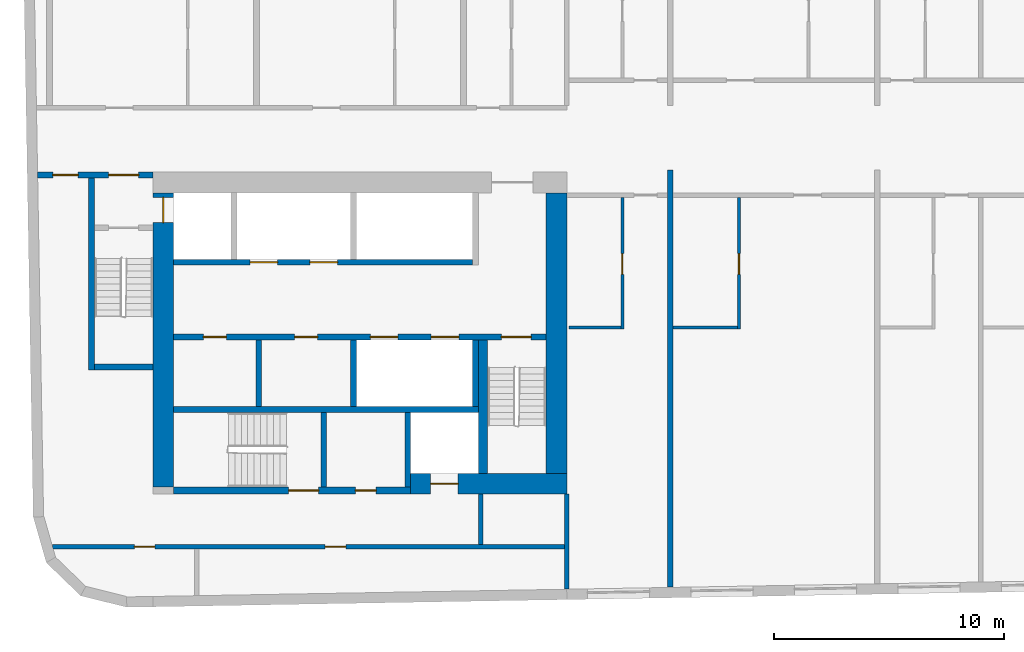
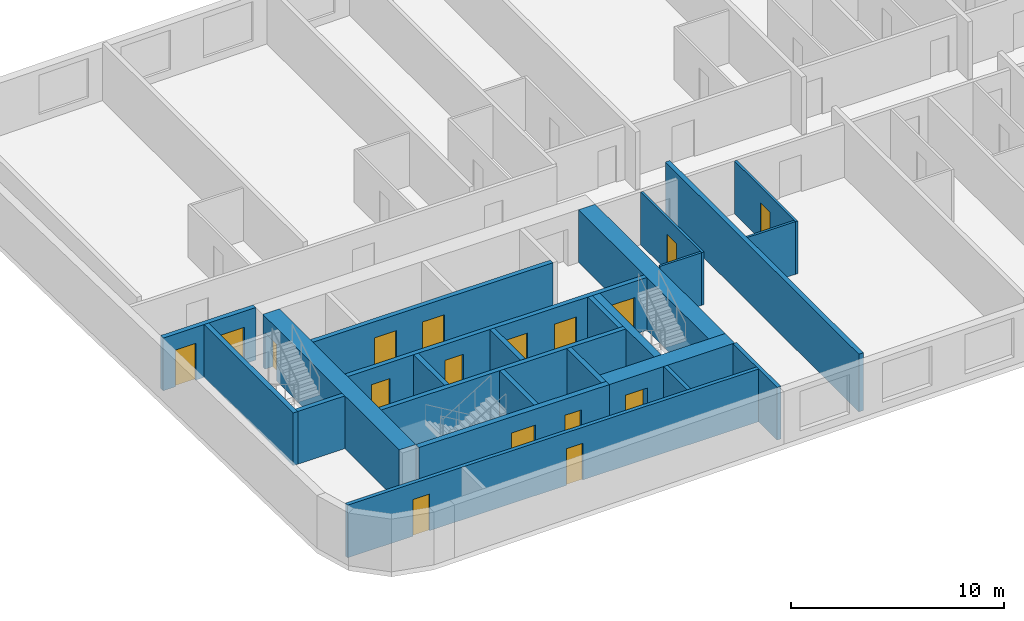
# One storey, part 2 of 11: 24 walls, 17 doors, 17 openings.
"""IFC4 building model written with IfcOpenShell, lengths in metres."""

from ifc_helpers import new_model, si_unit, direction, frame, frame_2d, origin, place, context, subcontext, project, spatial, rectangle, extrude, material, layer, layer_set, type_object, element, fill, save


model = new_model("IFC4")

# Units and contexts
model_context = context("Model", 3, precision=1e-05, world=origin(), true_north=direction((0.0, 1.0)))
body_context = subcontext(model_context, "Body", "Model", "MODEL_VIEW")
ifc_project = project(units=[si_unit("LENGTHUNIT", "METRE"), si_unit("AREAUNIT", "SQUARE_METRE"), si_unit("VOLUMEUNIT", "CUBIC_METRE"), si_unit("PLANEANGLEUNIT", "RADIAN"), si_unit("MASSUNIT", "GRAM", prefix="KILO")], contexts=[model_context])

# Site, building, storey
site_placement = place(None, origin())
site = spatial("IfcSite", under=ifc_project, at=site_placement, CompositionType="ELEMENT")
building_placement = place(site_placement, origin())
building = spatial("IfcBuilding", under=site, at=building_placement, Name="Kajstack Hotel Tower", CompositionType="ELEMENT")
storey_placement = place(building_placement, frame((0.0, 0.0, 230.89990234375)))
storey = spatial("IfcBuildingStorey", under=building, at=storey_placement, Name="L56", CompositionType="ELEMENT", Elevation=230.89990234375)

# Wall, opening, door
ifc_material_1 = material(Name="Concrete C60/75", Category="concrete")
ifc_layer_1 = layer(ifc_material_1, 0.89990234375)
ifc_layer_set_1 = layer_set([ifc_layer_1], Name="Core wall 900")
wall_type_1 = type_object("IfcWallType", Name="Core wall 900", PredefinedType="SHEAR", material=ifc_layer_set_1)
wall_1_placement = place(storey_placement, frame((-20.300048828125, -15.050048828125, 0.0), z_axis=(0.0, 0.0, 1.0), x_axis=(1.0, 0.0, 0.0)))
wall_1 = element("IfcWall", 1, at=wall_1_placement, inside=storey, type_object=wall_type_1, Name="Core wall W RS", PredefinedType="SHEAR", context=body_context, shape_type="SweptSolid", body=[
    extrude(rectangle(XDim=6.800048828125, YDim=0.89990234375, at=frame_2d((3.39990234375, 0.0))), origin(), (0.0, 0.0, 1.0), 3.02001953125),
])
opening_1_placement = place(wall_1_placement, frame((0.875, 0.0, 0.0)))
opening_1 = element("IfcOpeningElement", 2, at=opening_1_placement, cuts=wall_1, Name="Opening LD-SV1", PredefinedType="OPENING", context=body_context, shape_type="SweptSolid", body=[
    extrude(rectangle(XDim=1.199951171875, YDim=2.10009765625, at=frame_2d((0.60009765625, 1.050048828125))), frame((0.0, 0.4599609375, 0.0), z_axis=(0.0, -1.0, 0.0), x_axis=(1.0, 0.0, 0.0)), (0.0, 0.0, 1.0), 0.919921875),
])
ifc_material_2 = material(Name="Stainless steel", Category="steel")
door_type_1 = type_object("IfcDoorType", Name="Lift landing door 1200", OperationType="SLIDING_TO_LEFT", PredefinedType="DOOR", material=ifc_material_2)
door_1_placement = place(opening_1_placement, origin())
door_1 = element("IfcDoor", 3, at=door_1_placement, inside=storey, type_object=door_type_1, Name="Landing door SV1", OperationType="SLIDING_TO_LEFT", OverallHeight=2.10009765625, OverallWidth=1.199951171875, PredefinedType="DOOR", context=body_context, shape_type="SweptSolid", body=[
    extrude(rectangle(XDim=1.199951171875, YDim=2.10009765625, at=frame_2d((0.60009765625, 1.050048828125))), frame((0.0, 0.02490234375, 0.0), z_axis=(0.0, -1.0, 0.0), x_axis=(1.0, 0.0, 0.0)), (0.0, 0.0, 1.0), 0.050048828125),
])
fill(opening_1, door_1)

wall_2_placement = place(storey_placement, frame((-31.050048828125, -15.199951171875, 0.0), z_axis=(0.0, 0.0, 1.0), x_axis=(0.0, 1.0, 0.0)))
wall_2 = element("IfcWall", 4, at=wall_2_placement, inside=storey, type_object=wall_type_1, Name="Core wall W RW", PredefinedType="SHEAR", context=body_context, shape_type="SweptSolid", body=[
    extrude(rectangle(XDim=12.800048828125, YDim=0.89990234375, at=frame_2d((6.39990234375, 0.0))), origin(), (0.0, 0.0, 1.0), 3.02001953125),
])
opening_2_placement = place(wall_2_placement, frame((11.5, 0.0, 0.0)))
opening_2 = element("IfcOpeningElement", 5, at=opening_2_placement, cuts=wall_2, Name="Opening LD-FF1", PredefinedType="OPENING", context=body_context, shape_type="SweptSolid", body=[
    extrude(rectangle(XDim=1.10009765625, YDim=2.10009765625, at=frame_2d((0.550048828125, 1.050048828125))), frame((0.0, 0.4599609375, 0.0), z_axis=(0.0, -1.0, 0.0), x_axis=(1.0, 0.0, 0.0)), (0.0, 0.0, 1.0), 0.919921875),
])
door_type_2 = type_object("IfcDoorType", Name="Fire-fighting lift landing door 1100", OperationType="SLIDING_TO_LEFT", PredefinedType="DOOR", material=ifc_material_2)
door_2_placement = place(opening_2_placement, origin())
door_2 = element("IfcDoor", 6, at=door_2_placement, inside=storey, type_object=door_type_2, Name="Landing door FF1", OperationType="SLIDING_TO_RIGHT", OverallHeight=2.10009765625, OverallWidth=1.10009765625, PredefinedType="DOOR", context=body_context, shape_type="SweptSolid", body=[
    extrude(rectangle(XDim=1.10009765625, YDim=2.10009765625, at=frame_2d((0.550048828125, 1.050048828125))), frame((0.0, 0.02490234375, 0.0), z_axis=(0.0, -1.0, 0.0), x_axis=(1.0, 0.0, 0.0)), (0.0, 0.0, 1.0), 0.050048828125),
])
fill(opening_2, door_2)

# Walls
wall_3_placement = place(storey_placement, frame((-13.949951171875, -14.60009765625, 0.0), z_axis=(0.0, 0.0, 1.0), x_axis=(0.0, 1.0, 0.0)))
element("IfcWall", 7, at=wall_3_placement, inside=storey, type_object=wall_type_1, Name="Core wall W RE", PredefinedType="SHEAR", context=body_context, shape_type="SweptSolid", body=[
    extrude(rectangle(XDim=12.2001953125, YDim=0.89990234375, at=frame_2d((6.10009765625, 0.0))), origin(), (0.0, 0.0, 1.0), 3.02001953125),
])
ifc_material_3 = material(Name="Twin-frame gypsum board on steel studs, mineral wool", Category="steel")
ifc_layer_2 = layer(ifc_material_3, 0.199951171875)
ifc_layer_set_2 = layer_set([ifc_layer_2], Name="Demising wall 200")
wall_type_2 = type_object("IfcWallType", Name="Demising wall 200", PredefinedType="PARTITIONING", material=ifc_layer_set_2)
wall_4_placement = place(storey_placement, frame((-13.5, -19.64111328125, 0.0), z_axis=(0.0, 0.0, 1.0), x_axis=(0.0, 1.0, 0.0)))
element("IfcWall", 8, at=wall_4_placement, inside=storey, type_object=wall_type_2, Name="G-wall-L56-002", PredefinedType="PARTITIONING", context=body_context, shape_type="SweptSolid", body=[
    extrude(rectangle(XDim=4.14111328125, YDim=0.199951171875, at=frame_2d((2.070556640625, 0.0))), origin(), (0.0, 0.0, 1.0), 3.02001953125),
])

# Wall, opening, door
ifc_material_4 = material(Name="Gypsum board and tiled backer on steel studs", Category="steel")
ifc_layer_3 = layer(ifc_material_4, 0.125)
ifc_layer_set_3 = layer_set([ifc_layer_3], Name="En-suite wall 125")
wall_type_3 = type_object("IfcWallType", Name="En-suite wall 125", PredefinedType="PARTITIONING", material=ifc_layer_set_3)
wall_5_placement = place(storey_placement, frame((-11.087890625, -8.324951171875, 0.0), z_axis=(0.0, 0.0, 1.0), x_axis=(0.0, 1.0, 0.0)))
wall_5 = element("IfcWall", 9, at=wall_5_placement, inside=storey, type_object=wall_type_3, Name="G-wall-L56-027", PredefinedType="PARTITIONING", context=body_context, shape_type="SweptSolid", body=[
    extrude(rectangle(XDim=5.724853515625, YDim=0.125, at=frame_2d((2.8623046875, 0.0))), origin(), (0.0, 0.0, 1.0), 3.02001953125),
])
opening_3_placement = place(wall_5_placement, frame((2.375, 0.0, 0.0)))
opening_3 = element("IfcOpeningElement", 10, at=opening_3_placement, cuts=wall_5, Name="Opening 56020", PredefinedType="OPENING", context=body_context, shape_type="SweptSolid", body=[
    extrude(rectangle(XDim=0.89990234375, YDim=2.10009765625, at=frame_2d((0.449951171875, 1.050048828125))), frame((0.0, 0.072509765625, 0.0), z_axis=(0.0, -1.0, 0.0), x_axis=(1.0, 0.0, 0.0)), (0.0, 0.0, 1.0), 0.14501953125),
])
ifc_material_5 = material(Name="Painted timber door leaf", Category="wood")
door_type_3 = type_object("IfcDoorType", Name="Room door 900", OperationType="SINGLE_SWING_LEFT", PredefinedType="DOOR", material=ifc_material_5)
door_3_placement = place(opening_3_placement, origin())
door_3 = element("IfcDoor", 11, at=door_3_placement, inside=storey, type_object=door_type_3, Name="G-door-L56-20", OperationType="SINGLE_SWING_LEFT", OverallHeight=2.10009765625, OverallWidth=0.89990234375, PredefinedType="DOOR", context=body_context, shape_type="SweptSolid", body=[
    extrude(rectangle(XDim=0.89990234375, YDim=2.10009765625, at=frame_2d((0.449951171875, 1.050048828125))), frame((0.0, 0.02490234375, 0.0), z_axis=(0.0, -1.0, 0.0), x_axis=(1.0, 0.0, 0.0)), (0.0, 0.0, 1.0), 0.050048828125),
])
fill(opening_3, door_3)

# Wall
wall_6_placement = place(storey_placement, frame((-13.39990234375, -8.261962890625, 0.0), z_axis=(0.0, 0.0, 1.0), x_axis=(1.0, 0.0, 0.0)))
element("IfcWall", 12, at=wall_6_placement, inside=storey, type_object=wall_type_3, Name="G-wall-L56-028", PredefinedType="PARTITIONING", context=body_context, shape_type="SweptSolid", body=[
    extrude(rectangle(XDim=2.25, YDim=0.125, at=frame_2d((1.125, 0.0))), origin(), (0.0, 0.0, 1.0), 3.02001953125),
])

# Wall, opening, door
wall_7_placement = place(storey_placement, frame((-6.012939453125, -8.324951171875, 0.0), z_axis=(0.0, 0.0, 1.0), x_axis=(0.0, 1.0, 0.0)))
wall_7 = element("IfcWall", 13, at=wall_7_placement, inside=storey, type_object=wall_type_3, Name="G-wall-L56-029", PredefinedType="PARTITIONING", context=body_context, shape_type="SweptSolid", body=[
    extrude(rectangle(XDim=5.724853515625, YDim=0.125, at=frame_2d((2.8623046875, 0.0))), origin(), (0.0, 0.0, 1.0), 3.02001953125),
])
opening_4_placement = place(wall_7_placement, frame((2.375, 0.0, 0.0)))
opening_4 = element("IfcOpeningElement", 14, at=opening_4_placement, cuts=wall_7, Name="Opening 56022", PredefinedType="OPENING", context=body_context, shape_type="SweptSolid", body=[
    extrude(rectangle(XDim=0.89990234375, YDim=2.10009765625, at=frame_2d((0.449951171875, 1.050048828125))), frame((0.0, 0.072509765625, 0.0), z_axis=(0.0, -1.0, 0.0), x_axis=(1.0, 0.0, 0.0)), (0.0, 0.0, 1.0), 0.14501953125),
])
door_4_placement = place(opening_4_placement, origin())
door_4 = element("IfcDoor", 15, at=door_4_placement, inside=storey, type_object=door_type_3, Name="G-door-L56-22", OperationType="SINGLE_SWING_RIGHT", OverallHeight=2.10009765625, OverallWidth=0.89990234375, PredefinedType="DOOR", context=body_context, shape_type="SweptSolid", body=[
    extrude(rectangle(XDim=0.89990234375, YDim=2.10009765625, at=frame_2d((0.449951171875, 1.050048828125))), frame((0.0, 0.02490234375, 0.0), z_axis=(0.0, -1.0, 0.0), x_axis=(1.0, 0.0, 0.0)), (0.0, 0.0, 1.0), 0.050048828125),
])
fill(opening_4, door_4)

# Walls
wall_8_placement = place(storey_placement, frame((-8.875, -8.261962890625, 0.0), z_axis=(0.0, 0.0, 1.0), x_axis=(1.0, 0.0, 0.0)))
element("IfcWall", 16, at=wall_8_placement, inside=storey, type_object=wall_type_3, Name="G-wall-L56-030", PredefinedType="PARTITIONING", context=body_context, shape_type="SweptSolid", body=[
    extrude(rectangle(XDim=2.800048828125, YDim=0.125, at=frame_2d((1.39990234375, 0.0))), origin(), (0.0, 0.0, 1.0), 3.02001953125),
])
ifc_material_6 = material(Name="Concrete C50/60", Category="concrete")
ifc_layer_4 = layer(ifc_material_6, 0.300048828125)
ifc_layer_set_4 = layer_set([ifc_layer_4], Name="Hoistway divider wall 300")
wall_type_4 = type_object("IfcWallType", Name="Hoistway divider wall 300", PredefinedType="SHEAR", material=ifc_layer_set_4)
wall_9_placement = place(storey_placement, frame((-22.77490234375, -11.699951171875, 0.0), z_axis=(0.0, 0.0, 1.0), x_axis=(0.0, 1.0, 0.0)))
element("IfcWall", 17, at=wall_9_placement, inside=storey, type_object=wall_type_4, Name="Core wall W BP2", PredefinedType="SHEAR", context=body_context, shape_type="SweptSolid", body=[
    extrude(rectangle(XDim=2.89990234375, YDim=0.25, at=frame_2d((1.449951171875, 0.0))), origin(), (0.0, 0.0, 1.0), 3.02001953125),
])
ifc_material_7 = material(Name="Concrete C45/55", Category="concrete")
ifc_layer_5 = layer(ifc_material_7, 0.25)
ifc_layer_set_5 = layer_set([ifc_layer_5], Name="RC cross wall 250 C45/55")
wall_type_5 = type_object("IfcWallType", Name="RC cross wall 250 C45/55", PredefinedType="SHEAR", material=ifc_layer_set_5)
wall_10_placement = place(storey_placement, frame((-9.0, -19.55029296875, 0.0), z_axis=(0.0, 0.0, 1.0), x_axis=(0.0, 1.0, 0.0)))
element("IfcWall", 18, at=wall_10_placement, inside=storey, type_object=wall_type_5, Name="S-wall-L56-04", PredefinedType="SHEAR", context=body_context, shape_type="SweptSolid", body=[
    extrude(rectangle(XDim=18.150390625, YDim=0.25, at=frame_2d((9.0751953125, 0.0))), origin(), (0.0, 0.0, 1.0), 3.300048828125),
])
ifc_material_8 = material(Name="Concrete block masonry", Category="masonry")
ifc_layer_6 = layer(ifc_material_8, 0.25)
ifc_layer_set_6 = layer_set([ifc_layer_6], Name="Riser partition 250")
wall_type_6 = type_object("IfcWallType", Name="Riser partition 250", PredefinedType="PARTITIONING", material=ifc_layer_set_6)
wall_11_placement = place(storey_placement, frame((-26.89990234375, -11.699951171875, 0.0), z_axis=(0.0, 0.0, 1.0), x_axis=(0.0, 1.0, 0.0)))
element("IfcWall", 19, at=wall_11_placement, inside=storey, type_object=wall_type_6, Name="Partition W BF0", PredefinedType="PARTITIONING", context=body_context, shape_type="SweptSolid", body=[
    extrude(rectangle(XDim=2.89990234375, YDim=0.25, at=frame_2d((1.449951171875, 0.0))), origin(), (0.0, 0.0, 1.0), 3.02001953125),
])

# Wall, openings, doors
ifc_material_9 = material(Name="Gypsum board on steel studs, mineral wool", Category="steel")
ifc_layer_7 = layer(ifc_material_9, 0.199951171875)
ifc_layer_set_7 = layer_set([ifc_layer_7], Name="Service partition 200")
wall_type_7 = type_object("IfcWallType", Name="Service partition 200", PredefinedType="PARTITIONING", material=ifc_layer_set_7)
wall_12_placement = place(storey_placement, frame((-36.515380859375, -1.625, 0.0), z_axis=(0.0, 0.0, 1.0), x_axis=(1.0, 0.0, 0.0)))
wall_12 = element("IfcWall", 20, at=wall_12_placement, inside=storey, type_object=wall_type_7, Name="Partition W SN", PredefinedType="PARTITIONING", context=body_context, shape_type="SweptSolid", body=[
    extrude(rectangle(XDim=5.015380859375, YDim=0.25, at=frame_2d((2.5078125, 0.0))), origin(), (0.0, 0.0, 1.0), 3.02001953125),
])
opening_5_placement = place(wall_12_placement, frame((3.09033203125, 0.0, 0.0)))
opening_5 = element("IfcOpeningElement", 21, at=opening_5_placement, cuts=wall_12, Name="Opening 56W08", PredefinedType="OPENING", context=body_context, shape_type="SweptSolid", body=[
    extrude(rectangle(XDim=1.300048828125, YDim=2.10009765625, at=frame_2d((0.64990234375, 1.050048828125))), frame((0.0, 0.135009765625, 0.0), z_axis=(0.0, -1.0, 0.0), x_axis=(1.0, 0.0, 0.0)), (0.0, 0.0, 1.0), 0.27001953125),
])
opening_6_placement = place(wall_12_placement, frame((0.665283203125, 0.0, 0.0)))
opening_6 = element("IfcOpeningElement", 22, at=opening_6_placement, cuts=wall_12, Name="Opening 56W10", PredefinedType="OPENING", context=body_context, shape_type="SweptSolid", body=[
    extrude(rectangle(XDim=1.10009765625, YDim=2.10009765625, at=frame_2d((0.550048828125, 1.050048828125))), frame((0.0, 0.135009765625, 0.0), z_axis=(0.0, -1.0, 0.0), x_axis=(1.0, 0.0, 0.0)), (0.0, 0.0, 1.0), 0.27001953125),
])
ifc_material_10 = material(Name="Steel leaf, fire-rated", Category="steel")
door_type_4 = type_object("IfcDoorType", Name="Fire lobby door 1300", OperationType="SINGLE_SWING_LEFT", PredefinedType="DOOR", material=ifc_material_10)
door_5_placement = place(opening_5_placement, origin())
door_5 = element("IfcDoor", 23, at=door_5_placement, inside=storey, type_object=door_type_4, Name="Door 56W08", OperationType="SINGLE_SWING_RIGHT", OverallHeight=2.10009765625, OverallWidth=1.300048828125, PredefinedType="DOOR", context=body_context, shape_type="SweptSolid", body=[
    extrude(rectangle(XDim=1.300048828125, YDim=2.10009765625, at=frame_2d((0.64990234375, 1.050048828125))), frame((0.0, 0.02490234375, 0.0), z_axis=(0.0, -1.0, 0.0), x_axis=(1.0, 0.0, 0.0)), (0.0, 0.0, 1.0), 0.050048828125),
])
fill(opening_5, door_5)
ifc_material_11 = material(Name="Timber leaf, fire-rated", Category="wood")
door_type_5 = type_object("IfcDoorType", Name="Service corridor door 1100", OperationType="SINGLE_SWING_LEFT", PredefinedType="DOOR", material=ifc_material_11)
door_6_placement = place(opening_6_placement, origin())
door_6 = element("IfcDoor", 24, at=door_6_placement, inside=storey, type_object=door_type_5, Name="Door 56W10", OperationType="SINGLE_SWING_RIGHT", OverallHeight=2.10009765625, OverallWidth=1.10009765625, PredefinedType="DOOR", context=body_context, shape_type="SweptSolid", body=[
    extrude(rectangle(XDim=1.10009765625, YDim=2.10009765625, at=frame_2d((0.550048828125, 1.050048828125))), frame((0.0, 0.02490234375, 0.0), z_axis=(0.0, -1.0, 0.0), x_axis=(1.0, 0.0, 0.0)), (0.0, 0.0, 1.0), 0.050048828125),
])
fill(opening_6, door_6)

# Wall
wall_13_placement = place(storey_placement, frame((-17.25, -17.699951171875, 0.0), z_axis=(0.0, 0.0, 1.0), x_axis=(0.0, 1.0, 0.0)))
element("IfcWall", 25, at=wall_13_placement, inside=storey, type_object=wall_type_7, Name="Partition W SCE", PredefinedType="PARTITIONING", context=body_context, shape_type="SweptSolid", body=[
    extrude(rectangle(XDim=2.199951171875, YDim=0.199951171875, at=frame_2d((1.10009765625, 0.0))), origin(), (0.0, 0.0, 1.0), 3.02001953125),
])

# Wall, openings, doors
wall_14_placement = place(storey_placement, frame((-35.86376953125, -17.800048828125, 0.0), z_axis=(0.0, 0.0, 1.0), x_axis=(1.0, 0.0, 0.0)))
wall_14 = element("IfcWall", 26, at=wall_14_placement, inside=storey, type_object=wall_type_7, Name="Partition W SLN", PredefinedType="PARTITIONING", context=body_context, shape_type="SweptSolid", body=[
    extrude(rectangle(XDim=22.263671875, YDim=0.199951171875, at=frame_2d((11.1318359375, 0.0))), origin(), (0.0, 0.0, 1.0), 3.02001953125),
])
opening_7_placement = place(wall_14_placement, frame((3.55126953125, 0.0, 0.0)))
opening_7 = element("IfcOpeningElement", 27, at=opening_7_placement, cuts=wall_14, Name="Opening 56W16", PredefinedType="OPENING", context=body_context, shape_type="SweptSolid", body=[
    extrude(rectangle(XDim=0.89990234375, YDim=2.10009765625, at=frame_2d((0.449951171875, 1.050048828125))), frame((0.0, 0.10986328125, 0.0), z_axis=(0.0, -1.0, 0.0), x_axis=(1.0, 0.0, 0.0)), (0.0, 0.0, 1.0), 0.219970703125),
])
opening_8_placement = place(wall_14_placement, frame((11.851318359375, 0.0, 0.0)))
opening_8 = element("IfcOpeningElement", 28, at=opening_8_placement, cuts=wall_14, Name="Opening 56W17", PredefinedType="OPENING", context=body_context, shape_type="SweptSolid", body=[
    extrude(rectangle(XDim=0.89990234375, YDim=2.10009765625, at=frame_2d((0.449951171875, 1.050048828125))), frame((0.0, 0.10986328125, 0.0), z_axis=(0.0, -1.0, 0.0), x_axis=(1.0, 0.0, 0.0)), (0.0, 0.0, 1.0), 0.219970703125),
])
door_type_6 = type_object("IfcDoorType", Name="Service door 900", OperationType="SINGLE_SWING_LEFT", PredefinedType="DOOR", material=ifc_material_11)
door_7_placement = place(opening_7_placement, origin())
door_7 = element("IfcDoor", 29, at=door_7_placement, inside=storey, type_object=door_type_6, Name="Door 56W16", OperationType="SINGLE_SWING_RIGHT", OverallHeight=2.10009765625, OverallWidth=0.89990234375, PredefinedType="DOOR", context=body_context, shape_type="SweptSolid", body=[
    extrude(rectangle(XDim=0.89990234375, YDim=2.10009765625, at=frame_2d((0.449951171875, 1.050048828125))), frame((0.0, 0.02490234375, 0.0), z_axis=(0.0, -1.0, 0.0), x_axis=(1.0, 0.0, 0.0)), (0.0, 0.0, 1.0), 0.050048828125),
])
fill(opening_7, door_7)
door_8_placement = place(opening_8_placement, origin())
door_8 = element("IfcDoor", 30, at=door_8_placement, inside=storey, type_object=door_type_6, Name="Door 56W17", OperationType="SINGLE_SWING_RIGHT", OverallHeight=2.10009765625, OverallWidth=0.89990234375, PredefinedType="DOOR", context=body_context, shape_type="SweptSolid", body=[
    extrude(rectangle(XDim=0.89990234375, YDim=2.10009765625, at=frame_2d((0.449951171875, 1.050048828125))), frame((0.0, 0.02490234375, 0.0), z_axis=(0.0, -1.0, 0.0), x_axis=(1.0, 0.0, 0.0)), (0.0, 0.0, 1.0), 0.050048828125),
])
fill(opening_8, door_8)

ifc_layer_8 = layer(ifc_material_6, 0.25)
ifc_layer_set_8 = layer_set([ifc_layer_8], Name="Shaft wall 250")
wall_type_8 = type_object("IfcWallType", Name="Shaft wall 250", PredefinedType="SHEAR", material=ifc_layer_set_8)
wall_15_placement = place(storey_placement, frame((-30.60009765625, -15.35009765625, 0.0), z_axis=(0.0, 0.0, 1.0), x_axis=(1.0, 0.0, 0.0)))
wall_15 = element("IfcWall", 31, at=wall_15_placement, inside=storey, type_object=wall_type_8, Name="Core wall W RSS", PredefinedType="SHEAR", context=body_context, shape_type="SweptSolid", body=[
    extrude(rectangle(XDim=10.300048828125, YDim=0.300048828125, at=frame_2d((5.14990234375, 0.0))), origin(), (0.0, 0.0, 1.0), 3.02001953125),
])
opening_9_placement = place(wall_15_placement, frame((5.0, 0.0, 0.0)))
opening_9 = element("IfcOpeningElement", 32, at=opening_9_placement, cuts=wall_15, Name="Opening 56W12", PredefinedType="OPENING", context=body_context, shape_type="SweptSolid", body=[
    extrude(rectangle(XDim=1.300048828125, YDim=2.10009765625, at=frame_2d((0.64990234375, 1.050048828125))), frame((0.0, 0.159912109375, 0.0), z_axis=(0.0, -1.0, 0.0), x_axis=(1.0, 0.0, 0.0)), (0.0, 0.0, 1.0), 0.320068359375),
])
opening_10_placement = place(wall_15_placement, frame((7.89990234375, 0.0, 0.0)))
opening_10 = element("IfcOpeningElement", 33, at=opening_10_placement, cuts=wall_15, Name="Opening 56W13", PredefinedType="OPENING", context=body_context, shape_type="SweptSolid", body=[
    extrude(rectangle(XDim=0.89990234375, YDim=2.10009765625, at=frame_2d((0.449951171875, 1.050048828125))), frame((0.0, 0.159912109375, 0.0), z_axis=(0.0, -1.0, 0.0), x_axis=(1.0, 0.0, 0.0)), (0.0, 0.0, 1.0), 0.320068359375),
])
door_9_placement = place(opening_10_placement, origin())
door_9 = element("IfcDoor", 34, at=door_9_placement, inside=storey, type_object=door_type_6, Name="Door 56W13", OperationType="SINGLE_SWING_LEFT", OverallHeight=2.10009765625, OverallWidth=0.89990234375, PredefinedType="DOOR", context=body_context, shape_type="SweptSolid", body=[
    extrude(rectangle(XDim=0.89990234375, YDim=2.10009765625, at=frame_2d((0.449951171875, 1.050048828125))), frame((0.0, 0.02490234375, 0.0), z_axis=(0.0, -1.0, 0.0), x_axis=(1.0, 0.0, 0.0)), (0.0, 0.0, 1.0), 0.050048828125),
])
fill(opening_10, door_9)
door_type_7 = type_object("IfcDoorType", Name="Stair door 1300", OperationType="SINGLE_SWING_LEFT", PredefinedType="DOOR", material=ifc_material_10)
door_10_placement = place(opening_9_placement, origin())
door_10 = element("IfcDoor", 35, at=door_10_placement, inside=storey, type_object=door_type_7, Name="Door 56W12", OperationType="SINGLE_SWING_RIGHT", OverallHeight=2.10009765625, OverallWidth=1.300048828125, PredefinedType="DOOR", context=body_context, shape_type="SweptSolid", body=[
    extrude(rectangle(XDim=1.300048828125, YDim=2.10009765625, at=frame_2d((0.64990234375, 1.050048828125))), frame((0.0, 0.02490234375, 0.0), z_axis=(0.0, -1.0, 0.0), x_axis=(1.0, 0.0, 0.0)), (0.0, 0.0, 1.0), 0.050048828125),
])
fill(opening_9, door_10)

wall_16_placement = place(storey_placement, frame((-30.60009765625, -5.425048828125, 0.0), z_axis=(0.0, 0.0, 1.0), x_axis=(1.0, 0.0, 0.0)))
wall_16 = element("IfcWall", 36, at=wall_16_placement, inside=storey, type_object=wall_type_8, Name="Core wall W FA", PredefinedType="SHEAR", context=body_context, shape_type="SweptSolid", body=[
    extrude(rectangle(XDim=13.0, YDim=0.25, at=frame_2d((6.5, 0.0))), origin(), (0.0, 0.0, 1.0), 3.02001953125),
])
opening_11_placement = place(wall_16_placement, frame((3.324951171875, 0.0, 0.0)))
opening_11 = element("IfcOpeningElement", 37, at=opening_11_placement, cuts=wall_16, Name="Opening LD-MR3", PredefinedType="OPENING", context=body_context, shape_type="SweptSolid", body=[
    extrude(rectangle(XDim=1.199951171875, YDim=2.10009765625, at=frame_2d((0.60009765625, 1.050048828125))), frame((0.0, 0.135009765625, 0.0), z_axis=(0.0, -1.0, 0.0), x_axis=(1.0, 0.0, 0.0)), (0.0, 0.0, 1.0), 0.27001953125),
])
opening_12_placement = place(wall_16_placement, frame((5.925048828125, 0.0, 0.0)))
opening_12 = element("IfcOpeningElement", 38, at=opening_12_placement, cuts=wall_16, Name="Opening LD-MR4", PredefinedType="OPENING", context=body_context, shape_type="SweptSolid", body=[
    extrude(rectangle(XDim=1.199951171875, YDim=2.10009765625, at=frame_2d((0.60009765625, 1.050048828125))), frame((0.0, 0.135009765625, 0.0), z_axis=(0.0, -1.0, 0.0), x_axis=(1.0, 0.0, 0.0)), (0.0, 0.0, 1.0), 0.27001953125),
])
door_11_placement = place(opening_11_placement, origin())
door_11 = element("IfcDoor", 39, at=door_11_placement, inside=storey, type_object=door_type_1, Name="Landing door MR3", OperationType="SLIDING_TO_RIGHT", OverallHeight=2.10009765625, OverallWidth=1.199951171875, PredefinedType="DOOR", context=body_context, shape_type="SweptSolid", body=[
    extrude(rectangle(XDim=1.199951171875, YDim=2.10009765625, at=frame_2d((0.60009765625, 1.050048828125))), frame((0.0, 0.02490234375, 0.0), z_axis=(0.0, -1.0, 0.0), x_axis=(1.0, 0.0, 0.0)), (0.0, 0.0, 1.0), 0.050048828125),
])
fill(opening_11, door_11)
door_12_placement = place(opening_12_placement, origin())
door_12 = element("IfcDoor", 40, at=door_12_placement, inside=storey, type_object=door_type_1, Name="Landing door MR4", OperationType="SLIDING_TO_RIGHT", OverallHeight=2.10009765625, OverallWidth=1.199951171875, PredefinedType="DOOR", context=body_context, shape_type="SweptSolid", body=[
    extrude(rectangle(XDim=1.199951171875, YDim=2.10009765625, at=frame_2d((0.60009765625, 1.050048828125))), frame((0.0, 0.02490234375, 0.0), z_axis=(0.0, -1.0, 0.0), x_axis=(1.0, 0.0, 0.0)), (0.0, 0.0, 1.0), 0.050048828125),
])
fill(opening_12, door_12)

wall_17_placement = place(storey_placement, frame((-30.60009765625, -8.675048828125, 0.0), z_axis=(0.0, 0.0, 1.0), x_axis=(1.0, 0.0, 0.0)))
wall_17 = element("IfcWall", 41, at=wall_17_placement, inside=storey, type_object=wall_type_8, Name="Core wall W FB", PredefinedType="SHEAR", context=body_context, shape_type="SweptSolid", body=[
    extrude(rectangle(XDim=16.2001953125, YDim=0.25, at=frame_2d((8.10009765625, 0.0))), origin(), (0.0, 0.0, 1.0), 3.02001953125),
])
opening_13_placement = place(wall_17_placement, frame((8.550048828125, 0.0, 0.0)))
opening_13 = element("IfcOpeningElement", 42, at=opening_13_placement, cuts=wall_17, Name="Opening LD-MR1", PredefinedType="OPENING", context=body_context, shape_type="SweptSolid", body=[
    extrude(rectangle(XDim=1.199951171875, YDim=2.10009765625, at=frame_2d((0.60009765625, 1.050048828125))), frame((0.0, 0.135009765625, 0.0), z_axis=(0.0, -1.0, 0.0), x_axis=(1.0, 0.0, 0.0)), (0.0, 0.0, 1.0), 0.27001953125),
])
opening_14_placement = place(wall_17_placement, frame((11.199951171875, 0.0, 0.0)))
opening_14 = element("IfcOpeningElement", 43, at=opening_14_placement, cuts=wall_17, Name="Opening LD-MR2", PredefinedType="OPENING", context=body_context, shape_type="SweptSolid", body=[
    extrude(rectangle(XDim=1.199951171875, YDim=2.10009765625, at=frame_2d((0.60009765625, 1.050048828125))), frame((0.0, 0.135009765625, 0.0), z_axis=(0.0, -1.0, 0.0), x_axis=(1.0, 0.0, 0.0)), (0.0, 0.0, 1.0), 0.27001953125),
])
opening_15_placement = place(wall_17_placement, frame((14.25, 0.0, 0.0)))
opening_15 = element("IfcOpeningElement", 44, at=opening_15_placement, cuts=wall_17, Name="Opening 56W11", PredefinedType="OPENING", context=body_context, shape_type="SweptSolid", body=[
    extrude(rectangle(XDim=1.300048828125, YDim=2.10009765625, at=frame_2d((0.64990234375, 1.050048828125))), frame((0.0, 0.135009765625, 0.0), z_axis=(0.0, -1.0, 0.0), x_axis=(1.0, 0.0, 0.0)), (0.0, 0.0, 1.0), 0.27001953125),
])
opening_16_placement = place(wall_17_placement, frame((1.28759765625, 0.0, 0.0)))
opening_16 = element("IfcOpeningElement", 45, at=opening_16_placement, cuts=wall_17, Name="Opening 56W14", PredefinedType="OPENING", context=body_context, shape_type="SweptSolid", body=[
    extrude(rectangle(XDim=1.0, YDim=2.10009765625, at=frame_2d((0.5, 1.050048828125))), frame((0.0, 0.135009765625, 0.0), z_axis=(0.0, -1.0, 0.0), x_axis=(1.0, 0.0, 0.0)), (0.0, 0.0, 1.0), 0.27001953125),
])
opening_17_placement = place(wall_17_placement, frame((5.262451171875, 0.0, 0.0)))
opening_17 = element("IfcOpeningElement", 46, at=opening_17_placement, cuts=wall_17, Name="Opening 56W15", PredefinedType="OPENING", context=body_context, shape_type="SweptSolid", body=[
    extrude(rectangle(XDim=1.0, YDim=2.10009765625, at=frame_2d((0.5, 1.050048828125))), frame((0.0, 0.135009765625, 0.0), z_axis=(0.0, -1.0, 0.0), x_axis=(1.0, 0.0, 0.0)), (0.0, 0.0, 1.0), 0.27001953125),
])
door_13_placement = place(opening_13_placement, origin())
door_13 = element("IfcDoor", 47, at=door_13_placement, inside=storey, type_object=door_type_1, Name="Landing door MR1", OperationType="SLIDING_TO_LEFT", OverallHeight=2.10009765625, OverallWidth=1.199951171875, PredefinedType="DOOR", context=body_context, shape_type="SweptSolid", body=[
    extrude(rectangle(XDim=1.199951171875, YDim=2.10009765625, at=frame_2d((0.60009765625, 1.050048828125))), frame((0.0, 0.02490234375, 0.0), z_axis=(0.0, -1.0, 0.0), x_axis=(1.0, 0.0, 0.0)), (0.0, 0.0, 1.0), 0.050048828125),
])
fill(opening_13, door_13)
door_14_placement = place(opening_14_placement, origin())
door_14 = element("IfcDoor", 48, at=door_14_placement, inside=storey, type_object=door_type_1, Name="Landing door MR2", OperationType="SLIDING_TO_RIGHT", OverallHeight=2.10009765625, OverallWidth=1.199951171875, PredefinedType="DOOR", context=body_context, shape_type="SweptSolid", body=[
    extrude(rectangle(XDim=1.199951171875, YDim=2.10009765625, at=frame_2d((0.60009765625, 1.050048828125))), frame((0.0, 0.02490234375, 0.0), z_axis=(0.0, -1.0, 0.0), x_axis=(1.0, 0.0, 0.0)), (0.0, 0.0, 1.0), 0.050048828125),
])
fill(opening_14, door_14)
door_type_8 = type_object("IfcDoorType", Name="Service room door 1000", OperationType="SINGLE_SWING_LEFT", PredefinedType="DOOR", material=ifc_material_11)
door_15_placement = place(opening_16_placement, origin())
door_15 = element("IfcDoor", 49, at=door_15_placement, inside=storey, type_object=door_type_8, Name="Door 56W14", OperationType="SINGLE_SWING_RIGHT", OverallHeight=2.10009765625, OverallWidth=1.0, PredefinedType="DOOR", context=body_context, shape_type="SweptSolid", body=[
    extrude(rectangle(XDim=1.0, YDim=2.10009765625, at=frame_2d((0.5, 1.050048828125))), frame((0.0, 0.02490234375, 0.0), z_axis=(0.0, -1.0, 0.0), x_axis=(1.0, 0.0, 0.0)), (0.0, 0.0, 1.0), 0.050048828125),
])
fill(opening_16, door_15)
door_16_placement = place(opening_17_placement, origin())
door_16 = element("IfcDoor", 50, at=door_16_placement, inside=storey, type_object=door_type_8, Name="Door 56W15", OperationType="SINGLE_SWING_RIGHT", OverallHeight=2.10009765625, OverallWidth=1.0, PredefinedType="DOOR", context=body_context, shape_type="SweptSolid", body=[
    extrude(rectangle(XDim=1.0, YDim=2.10009765625, at=frame_2d((0.5, 1.050048828125))), frame((0.0, 0.02490234375, 0.0), z_axis=(0.0, -1.0, 0.0), x_axis=(1.0, 0.0, 0.0)), (0.0, 0.0, 1.0), 0.050048828125),
])
fill(opening_17, door_16)
door_17_placement = place(opening_15_placement, origin())
door_17 = element("IfcDoor", 51, at=door_17_placement, inside=storey, type_object=door_type_7, Name="Door 56W11", OperationType="SINGLE_SWING_RIGHT", OverallHeight=2.10009765625, OverallWidth=1.300048828125, PredefinedType="DOOR", context=body_context, shape_type="SweptSolid", body=[
    extrude(rectangle(XDim=1.300048828125, YDim=2.10009765625, at=frame_2d((0.64990234375, 1.050048828125))), frame((0.0, 0.02490234375, 0.0), z_axis=(0.0, -1.0, 0.0), x_axis=(1.0, 0.0, 0.0)), (0.0, 0.0, 1.0), 0.050048828125),
])
fill(opening_15, door_17)

# Walls
wall_18_placement = place(storey_placement, frame((-30.60009765625, -11.824951171875, 0.0), z_axis=(0.0, 0.0, 1.0), x_axis=(1.0, 0.0, 0.0)))
element("IfcWall", 52, at=wall_18_placement, inside=storey, type_object=wall_type_8, Name="Core wall W RB", PredefinedType="SHEAR", context=body_context, shape_type="SweptSolid", body=[
    extrude(rectangle(XDim=13.25, YDim=0.25, at=frame_2d((6.625, 0.0))), origin(), (0.0, 0.0, 1.0), 3.02001953125),
])
wall_19_placement = place(storey_placement, frame((-17.47509765625, -11.699951171875, 0.0), z_axis=(0.0, 0.0, 1.0), x_axis=(0.0, 1.0, 0.0)))
element("IfcWall", 53, at=wall_19_placement, inside=storey, type_object=wall_type_8, Name="Core wall W BE", PredefinedType="SHEAR", context=body_context, shape_type="SweptSolid", body=[
    extrude(rectangle(XDim=2.89990234375, YDim=0.25, at=frame_2d((1.449951171875, 0.0))), origin(), (0.0, 0.0, 1.0), 3.02001953125),
])
wall_20_placement = place(storey_placement, frame((-20.425048828125, -15.199951171875, 0.0), z_axis=(0.0, 0.0, 1.0), x_axis=(0.0, 1.0, 0.0)))
element("IfcWall", 54, at=wall_20_placement, inside=storey, type_object=wall_type_8, Name="Core wall W SVW", PredefinedType="SHEAR", context=body_context, shape_type="SweptSolid", body=[
    extrude(rectangle(XDim=3.25, YDim=0.25, at=frame_2d((1.625, 0.0))), origin(), (0.0, 0.0, 1.0), 3.02001953125),
])
ifc_material_12 = material(Name="Concrete C40/50", Category="concrete")
ifc_layer_9 = layer(ifc_material_12, 0.25)
ifc_layer_set_9 = layer_set([ifc_layer_9], Name="Stair enclosure wall 250")
wall_type_9 = type_object("IfcWallType", Name="Stair enclosure wall 250", PredefinedType="SHEAR", material=ifc_layer_set_9)
wall_21_placement = place(storey_placement, frame((-34.175048828125, -10.10009765625, 0.0), z_axis=(0.0, 0.0, 1.0), x_axis=(0.0, 1.0, 0.0)))
element("IfcWall", 55, at=wall_21_placement, inside=storey, type_object=wall_type_9, Name="Core wall W W1W", PredefinedType="SHEAR", context=body_context, shape_type="SweptSolid", body=[
    extrude(rectangle(XDim=8.35009765625, YDim=0.25, at=frame_2d((4.175048828125, 0.0))), origin(), (0.0, 0.0, 1.0), 3.02001953125),
])
wall_22_placement = place(storey_placement, frame((-34.050048828125, -9.97509765625, 0.0), z_axis=(0.0, 0.0, 1.0), x_axis=(1.0, 0.0, 0.0)))
element("IfcWall", 56, at=wall_22_placement, inside=storey, type_object=wall_type_9, Name="Core wall W W1S", PredefinedType="SHEAR", context=body_context, shape_type="SweptSolid", body=[
    extrude(rectangle(XDim=2.550048828125, YDim=0.25, at=frame_2d((1.27490234375, 0.0))), origin(), (0.0, 0.0, 1.0), 3.02001953125),
])
ifc_layer_10 = layer(ifc_material_6, 0.35009765625)
ifc_layer_set_10 = layer_set([ifc_layer_10], Name="Stair enclosure wall 350")
wall_type_10 = type_object("IfcWallType", Name="Stair enclosure wall 350", PredefinedType="SHEAR", material=ifc_layer_set_10)
wall_23_placement = place(storey_placement, frame((-24.074951171875, -15.199951171875, 0.0), z_axis=(0.0, 0.0, 1.0), x_axis=(0.0, 1.0, 0.0)))
element("IfcWall", 57, at=wall_23_placement, inside=storey, type_object=wall_type_10, Name="Core wall W W3E", PredefinedType="SHEAR", context=body_context, shape_type="SweptSolid", body=[
    extrude(rectangle(XDim=3.25, YDim=0.25, at=frame_2d((1.625, 0.0))), origin(), (0.0, 0.0, 1.0), 3.02001953125),
])
ifc_layer_11 = layer(ifc_material_6, 0.39990234375)
ifc_layer_set_11 = layer_set([ifc_layer_11], Name="Stair wall 400")
wall_type_11 = type_object("IfcWallType", Name="Stair wall 400", PredefinedType="SHEAR", material=ifc_layer_set_11)
wall_24_placement = place(storey_placement, frame((-17.14990234375, -14.60009765625, 0.0), z_axis=(0.0, 0.0, 1.0), x_axis=(0.0, 1.0, 0.0)))
element("IfcWall", 58, at=wall_24_placement, inside=storey, type_object=wall_type_11, Name="Core wall W WW2", PredefinedType="SHEAR", context=body_context, shape_type="SweptSolid", body=[
    extrude(rectangle(XDim=5.800048828125, YDim=0.39990234375, at=frame_2d((2.89990234375, 0.0))), origin(), (0.0, 0.0, 1.0), 3.02001953125),
])

save(model, "model.ifc")
